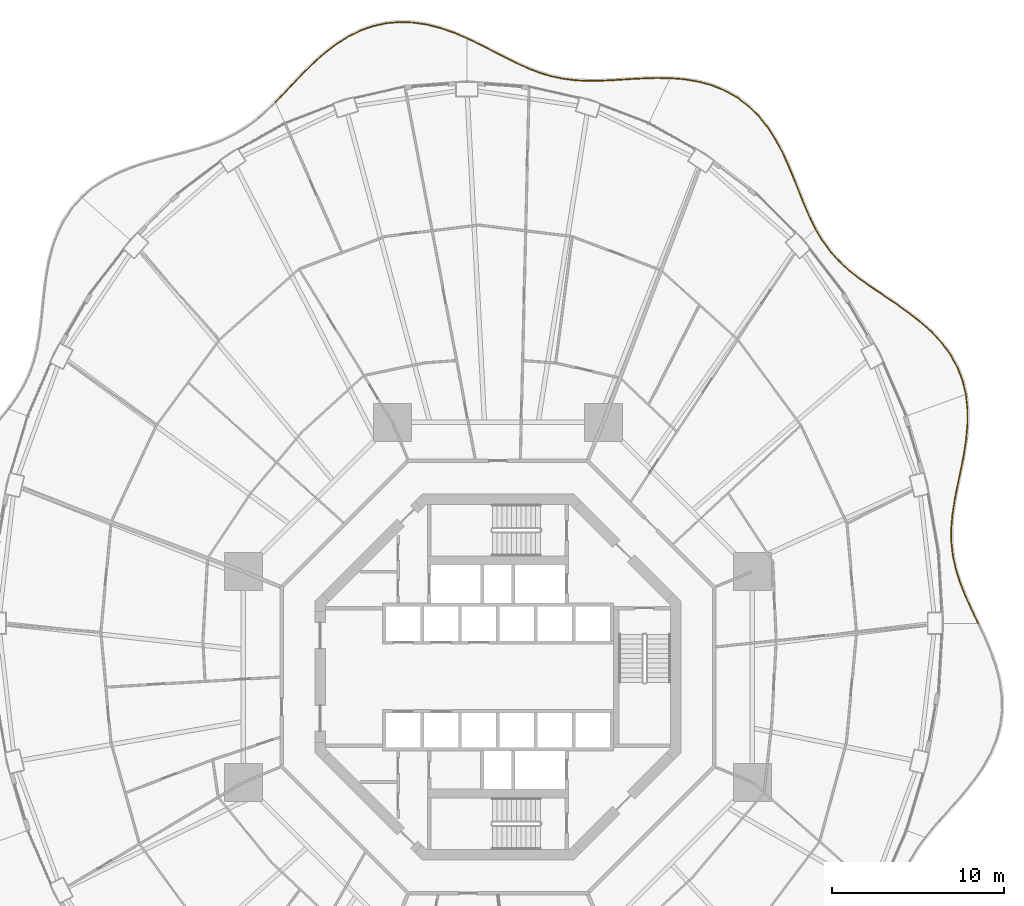
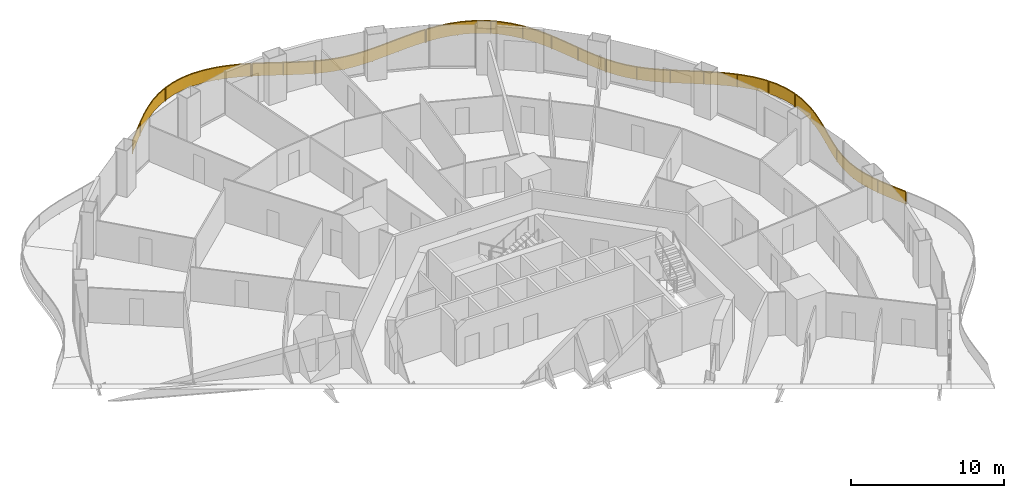
# One storey, part 22 of 22: 5 railings.
"""IFC4 building model written with IfcOpenShell, lengths in metres."""

from ifc_helpers import new_model, si_unit, direction, frame, origin, origin_2d, place, context, subcontext, project, spatial, polyline, rectangle, outline, extrude, material, type_object, element, save


model = new_model("IFC4")

# Units and contexts
model_context = context("Model", 3, precision=1e-05, world=origin(), true_north=direction((0.0, 1.0)))
body_context = subcontext(model_context, "Body", "Model", "MODEL_VIEW")
ifc_project = project(units=[si_unit("LENGTHUNIT", "METRE"), si_unit("AREAUNIT", "SQUARE_METRE"), si_unit("VOLUMEUNIT", "CUBIC_METRE"), si_unit("PLANEANGLEUNIT", "RADIAN"), si_unit("MASSUNIT", "GRAM", prefix="KILO")], contexts=[model_context])

# Site, building, storey
site_placement = place(None, origin())
site = spatial("IfcSite", under=ifc_project, at=site_placement, CompositionType="ELEMENT")
building_placement = place(site_placement, origin())
building = spatial("IfcBuilding", under=site, at=building_placement, Name="Nagisa Residences", CompositionType="ELEMENT")
storey_placement = place(building_placement, frame((0.0, 0.0, 106.60009765625)))
storey = spatial("IfcBuildingStorey", under=building, at=storey_placement, Name="L26", CompositionType="ELEMENT", Elevation=106.60009765625)

# Railings
ifc_material = material(Name="Stainless steel 316", Category="steel")
railing_type = type_object("IfcRailingType", Name="BALCONY GUARD 1100", PredefinedType="BALUSTRADE", material=ifc_material)
railing_1_placement = place(storey_placement, frame((27.873291015625, 3.15185546875, 0.0)))
element("IfcRailing", 1, at=railing_1_placement, inside=storey, type_object=railing_type, Name="guard:L26:bal00-0", PredefinedType="BALUSTRADE", context=body_context, shape_type="SweptSolid", body=[
    extrude(outline(polyline([(-0.386474609375, 0.7548828125), (-0.022705078125, -0.0107421875), (0.022705078125, 0.0107421875), (-0.341064453125, 0.77587890625), (-0.697998046875, 1.56689453125), (-1.008544921875, 2.3466796875), (-1.2548828125, 3.119873046875), (-1.42431640625, 3.893310546875), (-1.51025390625, 4.65966796875), (-1.516357421875, 5.453125), (-1.44921875, 6.2646484375), (-1.3232421875, 7.097900390625), (-1.1572265625, 7.953125), (-0.97119140625, 8.815185546875), (-0.796875, 9.70703125), (-0.656982421875, 10.608154296875), (-0.576416015625, 11.50927734375), (-0.57568359375, 12.401123046875), (-0.66552734375, 13.224853515625), (-0.71533203125, 13.219482421875), (-0.6259765625, 12.398193359375), (-0.626220703125, 11.51171875), (-0.706787109375, 10.614013671875), (-0.84619140625, 9.7158203125), (-1.02001953125, 8.825439453125), (-1.2060546875, 7.96337890625), (-1.37255859375, 7.106201171875), (-1.4990234375, 6.2705078125), (-1.566650390625, 5.455078125), (-1.56005859375, 4.65673828125), (-1.4736328125, 3.885009765625), (-1.30322265625, 3.106689453125), (-1.055908203125, 2.32958984375), (-0.743896484375, 1.54736328125), (-0.386474609375, 0.7548828125)])), frame((0.0, 0.0, 1.050048828125)), (0.0, 0.0, 1.0), 0.050048828125),
    extrude(outline(polyline([(-0.3701171875, 0.762451171875), (-0.00634765625, -0.0029296875), (0.00634765625, 0.0029296875), (-0.357421875, 0.768310546875), (-0.714599609375, 1.559814453125), (-1.025634765625, 2.340576171875), (-1.272216796875, 3.114990234375), (-1.442138671875, 3.890380859375), (-1.528076171875, 4.65869140625), (-1.534423828125, 5.453857421875), (-1.46728515625, 6.266845703125), (-1.341064453125, 7.100830078125), (-1.1748046875, 7.956787109375), (-0.98876953125, 8.81884765625), (-0.814697265625, 9.710205078125), (-0.675048828125, 10.6103515625), (-0.59423828125, 11.51025390625), (-0.59375, 12.400146484375), (-0.683349609375, 13.222900390625), (-0.697509765625, 13.221435546875), (-0.60791015625, 12.399169921875), (-0.6083984375, 11.5107421875), (-0.688720703125, 10.61181640625), (-0.828369140625, 9.712646484375), (-1.00244140625, 8.82177734375), (-1.1884765625, 7.959716796875), (-1.354736328125, 7.103271484375), (-1.48095703125, 6.268310546875), (-1.548583984375, 5.454345703125), (-1.542236328125, 4.65771484375), (-1.455810546875, 3.887939453125), (-1.285888671875, 3.111572265625), (-1.038818359375, 2.335693359375), (-0.727294921875, 1.554443359375), (-0.3701171875, 0.762451171875)])), frame((0.0, 0.0, 0.06005859375)), (0.0, 0.0, 1.0), 0.989990234375),
    extrude(rectangle(XDim=0.0400390625, YDim=0.0400390625, at=origin_2d()), origin(), (0.0, 0.0, 1.0), 1.050048828125),
    extrude(rectangle(XDim=0.0400390625, YDim=0.0400390625, at=origin_2d()), frame((-0.924072265625, 2.066650390625, 0.0)), (0.0, 0.0, 1.0), 1.050048828125),
    extrude(rectangle(XDim=0.0400390625, YDim=0.0400390625, at=origin_2d()), frame((-1.489501953125, 4.251220703125, 0.0)), (0.0, 0.0, 1.0), 1.050048828125),
    extrude(rectangle(XDim=0.0400390625, YDim=0.0400390625, at=origin_2d()), frame((-1.437744140625, 6.507568359375, 0.0)), (0.0, 0.0, 1.0), 1.050048828125),
    extrude(rectangle(XDim=0.0400390625, YDim=0.0400390625, at=origin_2d()), frame((-1.014892578125, 8.7314453125, 0.0)), (0.0, 0.0, 1.0), 1.050048828125),
    extrude(rectangle(XDim=0.0400390625, YDim=0.0400390625, at=origin_2d()), frame((-0.650146484375, 10.96484375, 0.0)), (0.0, 0.0, 1.0), 1.050048828125),
    extrude(rectangle(XDim=0.0400390625, YDim=0.0400390625, at=origin_2d()), frame((-0.6904296875, 13.22216796875, 0.0)), (0.0, 0.0, 1.0), 1.050048828125),
])
railing_2_placement = place(storey_placement, frame((27.169921875, 16.450439453125, 0.0)))
element("IfcRailing", 2, at=railing_2_placement, inside=storey, type_object=railing_type, Name="guard:L26:bal01-0", PredefinedType="BALUSTRADE", context=body_context, shape_type="SweptSolid", body=[
    extrude(outline(polyline([(-0.207763671875, 0.759521484375), (-0.0244140625, -0.005859375), (0.0244140625, 0.005859375), (-0.159912109375, 0.774658203125), (-0.46142578125, 1.551513671875), (-0.86669921875, 2.283935546875), (-1.3681640625, 2.96826171875), (-1.952880859375, 3.603271484375), (-2.597412109375, 4.177978515625), (-3.29541015625, 4.7236328125), (-4.018798828125, 5.236328125), (-4.74609375, 5.7265625), (-5.45703125, 6.20703125), (-6.125732421875, 6.6787109375), (-6.755126953125, 7.1796875), (-7.328125, 7.7099609375), (-7.840576171875, 8.280029296875), (-8.2939453125, 8.896484375), (-8.67236328125, 9.52734375), (-8.71533203125, 9.50146484375), (-8.33544921875, 8.86865234375), (-7.879638671875, 8.248291015625), (-7.36376953125, 7.6748046875), (-6.787841796875, 7.1416015625), (-6.156005859375, 6.638671875), (-5.4853515625, 6.166015625), (-4.77392578125, 5.68505859375), (-4.047119140625, 5.1953125), (-3.3251953125, 4.68359375), (-2.629638671875, 4.139404296875), (-1.988037109375, 3.567626953125), (-1.40673828125, 2.9365234375), (-0.9091796875, 2.257080078125), (-0.5068359375, 1.530029296875), (-0.207763671875, 0.759521484375)])), frame((0.0, 0.0, 1.050048828125)), (0.0, 0.0, 1.0), 0.050048828125),
    extrude(outline(polyline([(-0.1904296875, 0.764892578125), (-0.0068359375, -0.001708984375), (0.0068359375, 0.001708984375), (-0.17724609375, 0.769287109375), (-0.477783203125, 1.543701171875), (-0.882080078125, 2.274169921875), (-1.382080078125, 2.956787109375), (-1.965576171875, 3.59033203125), (-2.609130859375, 4.1640625), (-3.30615234375, 4.709228515625), (-4.029052734375, 5.2216796875), (-4.756103515625, 5.711669921875), (-5.46728515625, 6.1923828125), (-6.13671875, 6.664306640625), (-6.766845703125, 7.166015625), (-7.341064453125, 7.697265625), (-7.854736328125, 8.2685546875), (-8.308837890625, 8.886474609375), (-8.687744140625, 9.51806640625), (-8.699951171875, 9.5107421875), (-8.320556640625, 8.878662109375), (-7.865478515625, 8.259765625), (-7.350830078125, 7.6875), (-6.776123046875, 7.1552734375), (-6.14501953125, 6.653076171875), (-5.47509765625, 6.1806640625), (-4.763916015625, 5.699951171875), (-4.036865234375, 5.2099609375), (-3.314453125, 4.697998046875), (-2.617919921875, 4.1533203125), (-1.975341796875, 3.58056640625), (-1.392822265625, 2.947998046875), (-0.893798828125, 2.266845703125), (-0.490478515625, 1.537841796875), (-0.1904296875, 0.764892578125)])), frame((0.0, 0.0, 0.06005859375)), (0.0, 0.0, 1.0), 0.989990234375),
    extrude(rectangle(XDim=0.0400390625, YDim=0.0400390625, at=origin_2d()), origin(), (0.0, 0.0, 1.0), 1.050048828125),
    extrude(rectangle(XDim=0.0400390625, YDim=0.0400390625, at=origin_2d()), frame((-0.76611328125, 2.05029296875, 0.0)), (0.0, 0.0, 1.0), 1.050048828125),
    extrude(rectangle(XDim=0.0400390625, YDim=0.0400390625, at=origin_2d()), frame((-2.15234375, 3.74755859375, 0.0)), (0.0, 0.0, 1.0), 1.050048828125),
    extrude(rectangle(XDim=0.0400390625, YDim=0.0400390625, at=origin_2d()), frame((-3.880615234375, 5.107666015625, 0.0)), (0.0, 0.0, 1.0), 1.050048828125),
    extrude(rectangle(XDim=0.0400390625, YDim=0.0400390625, at=origin_2d()), frame((-5.69921875, 6.347412109375, 0.0)), (0.0, 0.0, 1.0), 1.050048828125),
    extrude(rectangle(XDim=0.0400390625, YDim=0.0400390625, at=origin_2d()), frame((-7.394287109375, 7.74609375, 0.0)), (0.0, 0.0, 1.0), 1.050048828125),
    extrude(rectangle(XDim=0.0400390625, YDim=0.0400390625, at=origin_2d()), frame((-8.69384765625, 9.514404296875, 0.0)), (0.0, 0.0, 1.0), 1.050048828125),
])
railing_3_placement = place(storey_placement, frame((18.443603515625, 26.02783203125, 0.0)))
element("IfcRailing", 3, at=railing_3_placement, inside=storey, type_object=railing_type, Name="guard:L26:bal02-0", PredefinedType="BALUSTRADE", context=body_context, shape_type="SweptSolid", body=[
    extrude(outline(polyline([(-0.34521484375, 0.634521484375), (-0.0224609375, -0.01123046875), (0.0224609375, 0.01123046875), (-0.2998046875, 0.655517578125), (-0.615478515625, 1.378173828125), (-0.91943359375, 2.133056640625), (-1.22607421875, 2.909423828125), (-1.55126953125, 3.693115234375), (-1.89697265625, 4.45751953125), (-2.300048828125, 5.207275390625), (-2.75830078125, 5.91455078125), (-3.27783203125, 6.563720703125), (-3.8623046875, 7.140869140625), (-4.498291015625, 7.627685546875), (-5.2041015625, 8.03173828125), (-5.96435546875, 8.344970703125), (-6.7666015625, 8.568603515625), (-7.600341796875, 8.709228515625), (-8.406005859375, 8.771240234375), (-8.409912109375, 8.721435546875), (-7.606201171875, 8.659423828125), (-6.77734375, 8.519775390625), (-5.98046875, 8.297607421875), (-5.22607421875, 7.98681640625), (-4.526123046875, 7.585693359375), (-3.89501953125, 7.103271484375), (-3.31494140625, 6.530029296875), (-2.798828125, 5.88525390625), (-2.343017578125, 5.181884765625), (-1.94189453125, 4.435546875), (-1.59716796875, 3.673095703125), (-1.2724609375, 2.890869140625), (-0.9658203125, 2.114501953125), (-0.661865234375, 1.358642578125), (-0.34521484375, 0.634521484375)])), frame((0.0, 0.0, 1.050048828125)), (0.0, 0.0, 1.0), 0.050048828125),
    extrude(outline(polyline([(-0.328857421875, 0.64208984375), (-0.00634765625, -0.003173828125), (0.00634765625, 0.003173828125), (-0.316162109375, 0.64794921875), (-0.63232421875, 1.37109375), (-0.93603515625, 2.12646484375), (-1.24267578125, 2.90283203125), (-1.56787109375, 3.685791015625), (-1.9130859375, 4.44970703125), (-2.3154296875, 5.1982421875), (-2.77294921875, 5.904052734375), (-3.291259765625, 6.551513671875), (-3.8740234375, 7.12744140625), (-4.50830078125, 7.612548828125), (-5.2119140625, 8.015625), (-5.97021484375, 8.327880859375), (-6.7705078125, 8.551025390625), (-7.6025390625, 8.691162109375), (-8.407470703125, 8.75341796875), (-8.408447265625, 8.7392578125), (-7.60400390625, 8.677490234375), (-6.7734375, 8.537353515625), (-5.974609375, 8.314697265625), (-5.21826171875, 8.0029296875), (-4.51611328125, 7.600830078125), (-3.88330078125, 7.11669921875), (-3.301513671875, 6.542236328125), (-2.7841796875, 5.895751953125), (-2.32763671875, 5.19091796875), (-1.92578125, 4.443359375), (-1.58056640625, 3.680419921875), (-1.255859375, 2.8974609375), (-0.94921875, 2.12109375), (-0.64501953125, 1.36572265625), (-0.328857421875, 0.64208984375)])), frame((0.0, 0.0, 0.06005859375)), (0.0, 0.0, 1.0), 0.989990234375),
    extrude(rectangle(XDim=0.0400390625, YDim=0.0400390625, at=origin_2d()), origin(), (0.0, 0.0, 1.0), 1.050048828125),
    extrude(rectangle(XDim=0.0400390625, YDim=0.0400390625, at=origin_2d()), frame((-0.88916015625, 1.99072265625, 0.0)), (0.0, 0.0, 1.0), 1.050048828125),
    extrude(rectangle(XDim=0.0400390625, YDim=0.0400390625, at=origin_2d()), frame((-1.720703125, 4.007080078125, 0.0)), (0.0, 0.0, 1.0), 1.050048828125),
    extrude(rectangle(XDim=0.0400390625, YDim=0.0400390625, at=origin_2d()), frame((-2.78466796875, 5.907470703125, 0.0)), (0.0, 0.0, 1.0), 1.050048828125),
    extrude(rectangle(XDim=0.0400390625, YDim=0.0400390625, at=origin_2d()), frame((-4.310791015625, 7.45263671875, 0.0)), (0.0, 0.0, 1.0), 1.050048828125),
    extrude(rectangle(XDim=0.0400390625, YDim=0.0400390625, at=origin_2d()), frame((-6.260009765625, 8.401611328125, 0.0)), (0.0, 0.0, 1.0), 1.050048828125),
    extrude(rectangle(XDim=0.0400390625, YDim=0.0400390625, at=origin_2d()), frame((-8.407958984375, 8.746337890625, 0.0)), (0.0, 0.0, 1.0), 1.050048828125),
])
railing_4_placement = place(storey_placement, frame((9.95849609375, 34.776611328125, 0.0)))
element("IfcRailing", 4, at=railing_4_placement, inside=storey, type_object=railing_type, Name="guard:L26:bal03-0", PredefinedType="BALUSTRADE", context=body_context, shape_type="SweptSolid", body=[
    extrude(outline(polyline([(-0.78076171875, -0.0166015625), (-0.000244140625, -0.02490234375), (0.000244140625, 0.02490234375), (-0.78125, 0.03369140625), (-1.606689453125, 0.0078125), (-2.4208984375, -0.038330078125), (-3.217041015625, -0.087646484375), (-3.9912109375, -0.122802734375), (-4.724365234375, -0.133544921875), (-5.451416015625, -0.09716796875), (-6.157958984375, -0.009033203125), (-6.849365234375, 0.136474609375), (-7.53125, 0.3408203125), (-8.193115234375, 0.59814453125), (-8.876953125, 0.906005859375), (-9.571044921875, 1.250244140625), (-10.280517578125, 1.61669921875), (-11.0087890625, 1.987548828125), (-11.71337890625, 2.325927734375), (-11.73486328125, 2.281005859375), (-11.03076171875, 1.942626953125), (-10.303466796875, 1.572265625), (-9.593505859375, 1.205810546875), (-8.8984375, 0.860595703125), (-8.212646484375, 0.5517578125), (-7.54736328125, 0.29345703125), (-6.861572265625, 0.088134765625), (-6.166259765625, -0.058349609375), (-5.455810546875, -0.14697265625), (-4.725341796875, -0.183837890625), (-3.98974609375, -0.172607421875), (-3.214599609375, -0.137451171875), (-2.41796875, -0.088134765625), (-1.604736328125, -0.0419921875), (-0.78076171875, -0.0166015625)])), frame((0.0, 0.0, 1.050048828125)), (0.0, 0.0, 1.0), 0.050048828125),
    extrude(outline(polyline([(-0.781005859375, 0.00146484375), (0.0, -0.007080078125), (0.0, 0.007080078125), (-0.781005859375, 0.015625), (-1.60595703125, -0.010009765625), (-2.419921875, -0.05615234375), (-3.21630859375, -0.10546875), (-3.99072265625, -0.140625), (-4.724609375, -0.151611328125), (-5.453125, -0.114990234375), (-6.160888671875, -0.02685546875), (-6.853759765625, 0.119140625), (-7.537109375, 0.32373046875), (-8.2001953125, 0.581298828125), (-8.884765625, 0.8896484375), (-9.5791015625, 1.234375), (-10.288818359375, 1.600830078125), (-11.0166015625, 1.971435546875), (-11.72119140625, 2.309814453125), (-11.72705078125, 2.297119140625), (-11.02294921875, 1.958740234375), (-10.295166015625, 1.588134765625), (-9.58544921875, 1.2216796875), (-8.890625, 0.876953125), (-8.20556640625, 0.568603515625), (-7.54150390625, 0.310546875), (-6.857177734375, 0.10546875), (-6.163330078125, -0.04052734375), (-5.4541015625, -0.129150390625), (-4.72509765625, -0.165771484375), (-3.990234375, -0.15478515625), (-3.21533203125, -0.11962890625), (-2.4189453125, -0.0703125), (-1.60546875, -0.024169921875), (-0.781005859375, 0.00146484375)])), frame((0.0, 0.0, 0.06005859375)), (0.0, 0.0, 1.0), 0.989990234375),
    extrude(rectangle(XDim=0.0400390625, YDim=0.0400390625, at=origin_2d()), origin(), (0.0, 0.0, 1.0), 1.050048828125),
    extrude(rectangle(XDim=0.0400390625, YDim=0.0400390625, at=origin_2d()), frame((-2.037353515625, -0.04150390625, 0.0)), (0.0, 0.0, 1.0), 1.050048828125),
    extrude(rectangle(XDim=0.0400390625, YDim=0.0400390625, at=origin_2d()), frame((-4.07275390625, -0.14892578125, 0.0)), (0.0, 0.0, 1.0), 1.050048828125),
    extrude(rectangle(XDim=0.0400390625, YDim=0.0400390625, at=origin_2d()), frame((-6.10498046875, -0.040771484375, 0.0)), (0.0, 0.0, 1.0), 1.050048828125),
    extrude(rectangle(XDim=0.0400390625, YDim=0.0400390625, at=origin_2d()), frame((-8.059814453125, 0.519287109375, 0.0)), (0.0, 0.0, 1.0), 1.050048828125),
    extrude(rectangle(XDim=0.0400390625, YDim=0.0400390625, at=origin_2d()), frame((-9.90087890625, 1.392578125, 0.0)), (0.0, 0.0, 1.0), 1.050048828125),
    extrude(rectangle(XDim=0.0400390625, YDim=0.0400390625, at=origin_2d()), frame((-11.72412109375, 2.303466796875, 0.0)), (0.0, 0.0, 1.0), 1.050048828125),
])
railing_5_placement = place(storey_placement, frame((-1.835205078125, 37.11279296875, 0.0)))
element("IfcRailing", 5, at=railing_5_placement, inside=storey, type_object=railing_type, Name="guard:L26:bal04-0", PredefinedType="BALUSTRADE", context=body_context, shape_type="SweptSolid", body=[
    extrude(outline(polyline([(-0.731689453125, 0.28369140625), (-0.009765625, -0.02294921875), (0.009765625, 0.02294921875), (-0.713623046875, 0.33056640625), (-1.49853515625, 0.60107421875), (-2.295654296875, 0.802978515625), (-3.0986328125, 0.921875), (-3.89892578125, 0.9482421875), (-4.675537109375, 0.877197265625), (-5.45166015625, 0.70361328125), (-6.203369140625, 0.431884765625), (-6.926025390625, 0.0703125), (-7.615234375, -0.369873046875), (-8.25341796875, -0.868896484375), (-8.87451171875, -1.420166015625), (-9.465576171875, -2.000244140625), (-10.03173828125, -2.590576171875), (-10.5810546875, -3.173828125), (-11.08935546875, -3.70361328125), (-11.05322265625, -3.73828125), (-10.544921875, -3.20849609375), (-9.99560546875, -2.625244140625), (-9.429931640625, -2.035400390625), (-8.84033203125, -1.456787109375), (-8.22119140625, -0.907470703125), (-7.58642578125, -0.410888671875), (-6.901123046875, 0.02685546875), (-6.183837890625, 0.385986328125), (-5.4375, 0.6552734375), (-4.667724609375, 0.827880859375), (-3.8974609375, 0.89794921875), (-3.10302734375, 0.8720703125), (-2.305419921875, 0.753662109375), (-1.5126953125, 0.55322265625), (-0.731689453125, 0.28369140625)])), frame((0.0, 0.0, 1.050048828125)), (0.0, 0.0, 1.0), 0.050048828125),
    extrude(outline(polyline([(-0.72509765625, 0.300537109375), (-0.002685546875, -0.00634765625), (0.002685546875, 0.00634765625), (-0.72021484375, 0.313720703125), (-1.503662109375, 0.583740234375), (-2.299072265625, 0.78515625), (-3.10009765625, 0.904052734375), (-3.8984375, 0.93017578125), (-4.672607421875, 0.859375), (-5.446533203125, 0.686279296875), (-6.1962890625, 0.415283203125), (-6.9169921875, 0.0546875), (-7.60498046875, -0.384765625), (-8.24169921875, -0.8828125), (-8.8623046875, -1.433349609375), (-9.45263671875, -2.012939453125), (-10.018798828125, -2.60302734375), (-10.568115234375, -3.186279296875), (-11.076416015625, -3.716064453125), (-11.066162109375, -3.725830078125), (-10.557861328125, -3.196044921875), (-10.008544921875, -2.61279296875), (-9.44287109375, -2.022705078125), (-8.8525390625, -1.443603515625), (-8.23291015625, -0.8935546875), (-7.5966796875, -0.39599609375), (-6.91015625, 0.04248046875), (-6.19091796875, 0.402587890625), (-5.442626953125, 0.672607421875), (-4.670654296875, 0.845703125), (-3.89794921875, 0.916015625), (-3.1015625, 0.889892578125), (-2.302001953125, 0.771484375), (-1.507568359375, 0.570556640625), (-0.72509765625, 0.300537109375)])), frame((0.0, 0.0, 0.06005859375)), (0.0, 0.0, 1.0), 0.989990234375),
    extrude(rectangle(XDim=0.0400390625, YDim=0.0400390625, at=origin_2d()), origin(), (0.0, 0.0, 1.0), 1.050048828125),
    extrude(rectangle(XDim=0.0400390625, YDim=0.0400390625, at=origin_2d()), frame((-2.0166015625, 0.70654296875, 0.0)), (0.0, 0.0, 1.0), 1.050048828125),
    extrude(rectangle(XDim=0.0400390625, YDim=0.0400390625, at=origin_2d()), frame((-4.137939453125, 0.901123046875, 0.0)), (0.0, 0.0, 1.0), 1.050048828125),
    extrude(rectangle(XDim=0.0400390625, YDim=0.0400390625, at=origin_2d()), frame((-6.2080078125, 0.401611328125, 0.0)), (0.0, 0.0, 1.0), 1.050048828125),
    extrude(rectangle(XDim=0.0400390625, YDim=0.0400390625, at=origin_2d()), frame((-8.023193359375, -0.720703125, 0.0)), (0.0, 0.0, 1.0), 1.050048828125),
    extrude(rectangle(XDim=0.0400390625, YDim=0.0400390625, at=origin_2d()), frame((-9.5947265625, -2.171142578125, 0.0)), (0.0, 0.0, 1.0), 1.050048828125),
    extrude(rectangle(XDim=0.0400390625, YDim=0.0400390625, at=origin_2d()), frame((-11.0712890625, -3.720947265625, 0.0)), (0.0, 0.0, 1.0), 1.050048828125),
])

save(model, "model.ifc")
